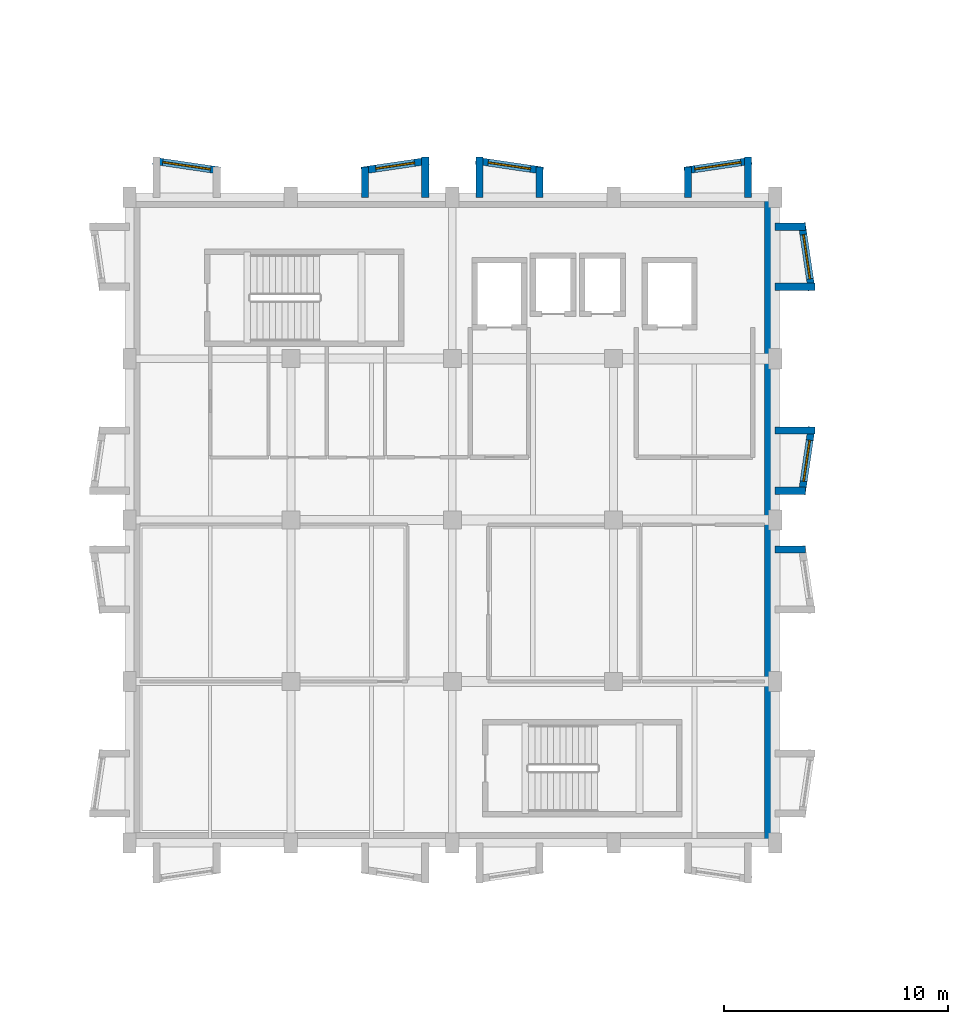
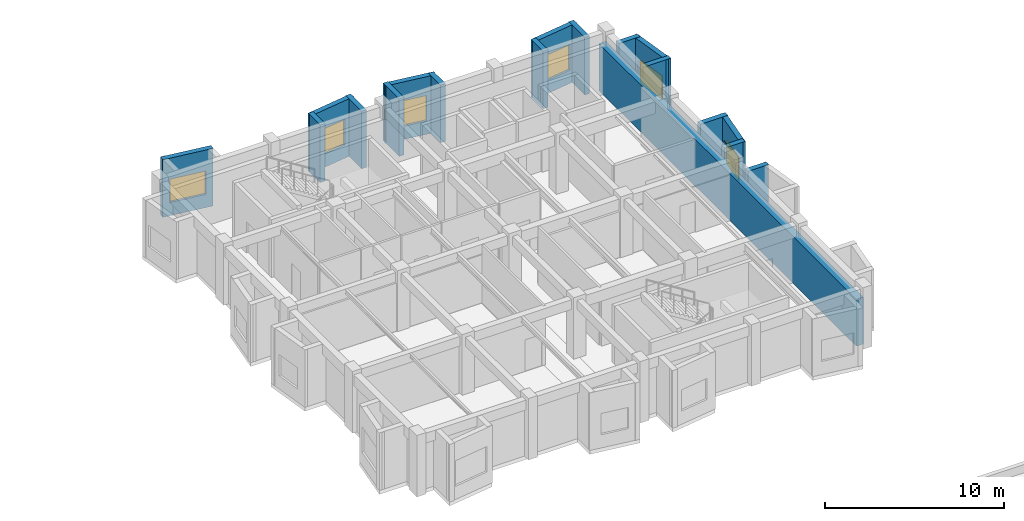
# One storey, part 57 of 67: 18 walls, 6 windows, 6 openings.
"""IFC4 building model written with IfcOpenShell, lengths in metres."""

from ifc_helpers import new_model, si_unit, direction, frame, frame_2d, origin, place, context, subcontext, project, spatial, rectangle, extrude, material, layer, layer_set, type_object, element, fill, save


model = new_model("IFC4")

# Units and contexts
model_context = context("Model", 3, precision=1e-05, world=origin(), true_north=direction((0.0, 1.0)))
body_context = subcontext(model_context, "Body", "Model", "MODEL_VIEW")
ifc_project = project(units=[si_unit("LENGTHUNIT", "METRE"), si_unit("AREAUNIT", "SQUARE_METRE"), si_unit("VOLUMEUNIT", "CUBIC_METRE"), si_unit("PLANEANGLEUNIT", "RADIAN"), si_unit("MASSUNIT", "GRAM", prefix="KILO")], contexts=[model_context])

# Site, building, storey
site_placement = place(None, origin())
site = spatial("IfcSite", under=ifc_project, at=site_placement, CompositionType="ELEMENT")
building_placement = place(site_placement, origin())
building = spatial("IfcBuilding", under=site, at=building_placement, Name="Bramveld Media Centre", CompositionType="ELEMENT")
storey_placement = place(building_placement, frame((0.0, 0.0, 5.39990234375)))
storey = spatial("IfcBuildingStorey", under=building, at=storey_placement, Name="L01", CompositionType="ELEMENT", Elevation=5.39990234375)

# Walls
ifc_material_1 = material(Name="Flemish red-brown clay facing brick cavity wall with concrete C35/45 inner leaf", Category="masonry")
ifc_layer_1 = layer(ifc_material_1, 0.4599609375)
ifc_layer_set_1 = layer_set([ifc_layer_1], Name="Flemish red-brown clay facing brick cavity wall with concrete C35/45 inner leaf")
wall_type_1 = type_object("IfcWallType", Name="EW-BRK-460", PredefinedType="SOLIDWALL", material=ifc_layer_set_1)
wall_1_placement = place(storey_placement, frame((159.77001953125, 112.0, 0.0), z_axis=(0.0, 0.0, 1.0), x_axis=(0.0, -1.0, 0.0)))
element("IfcWall", 1, at=wall_1_placement, inside=storey, type_object=wall_type_1, Name="V7 L01 E facing brick exterior wall", PredefinedType="SOLIDWALL", context=body_context, shape_type="SweptSolid", body=[
    extrude(rectangle(XDim=28.800048828125, YDim=0.4599609375, at=frame_2d((14.39990234375, 0.0))), origin(), (0.0, 0.0, 1.0), 3.205078125),
])
ifc_material_2 = material(Name="Precast concrete C40/50 & brick-slip faceted bay cheek wall", Category="masonry")
ifc_layer_2 = layer(ifc_material_2, 0.320068359375)
ifc_layer_set_2 = layer_set([ifc_layer_2], Name="Precast concrete C40/50 & brick-slip faceted bay cheek wall")
wall_type_2 = type_object("IfcWallType", Name="EW-FACET-320", PredefinedType="SOLIDWALL", material=ifc_layer_set_2)
wall_2_placement = place(storey_placement, frame((160.0, 96.2900390625, 0.0), z_axis=(0.0, 0.0, 1.0), x_axis=(1.0, 0.0, 0.0)))
element("IfcWall", 2, at=wall_2_placement, inside=storey, type_object=wall_type_2, Name="V7 L01 E faceted bay cheek wall", PredefinedType="SOLIDWALL", context=body_context, shape_type="SweptSolid", body=[
    extrude(rectangle(XDim=1.35009765625, YDim=0.320068359375, at=frame_2d((0.675048828125, 0.0))), origin(), (0.0, 0.0, 1.0), 3.93017578125),
])

# Wall, opening, window
wall_3_placement = place(storey_placement, frame((161.18994140625, 98.75, 0.0), z_axis=(0.0, 0.0, 1.0), x_axis=(0.146119746268, 0.989266910268, 0.0)))
wall_3 = element("IfcWall", 3, at=wall_3_placement, inside=storey, type_object=wall_type_2, Name="V7 L01 E angled faceted bay front wall 3", PredefinedType="SOLIDWALL", context=body_context, shape_type="SweptSolid", body=[
    extrude(rectangle(XDim=3.032470703125, YDim=0.320068359375, at=frame_2d((1.51611328125, 0.0))), origin(), (0.0, 0.0, 1.0), 3.93017578125),
])
opening_1_placement = place(wall_3_placement, frame((0.59130859375, 0.0, 0.89990234375)))
opening_1 = element("IfcOpeningElement", 4, at=opening_1_placement, cuts=wall_3, Name="Opening W-30", PredefinedType="OPENING", context=body_context, shape_type="SweptSolid", body=[
    extrude(rectangle(XDim=1.85009765625, YDim=1.60009765625, at=frame_2d((0.925048828125, 0.800048828125))), frame((0.0, 0.171875, 0.0), z_axis=(0.0, -1.0, 0.0), x_axis=(1.0, 0.0, 0.0)), (0.0, 0.0, 1.0), 0.343994140625),
])
ifc_material_3 = material(Name="Thermally broken anodized bronze aluminium frame with triple acoustic glazing", Category="aluminium")
window_type_1 = type_object("IfcWindowType", Name="WIN-FAC-30", PartitioningType="SINGLE_PANEL", PredefinedType="WINDOW", material=ifc_material_3)
window_1_placement = place(opening_1_placement, origin())
window_1 = element("IfcWindow", 5, at=window_1_placement, inside=storey, type_object=window_type_1, Name="V7 L01 E faceted bay window 3", OverallHeight=1.60009765625, OverallWidth=1.85009765625, PartitioningType="SINGLE_PANEL", PredefinedType="WINDOW", context=body_context, shape_type="SweptSolid", body=[
    extrude(rectangle(XDim=1.85009765625, YDim=1.60009765625, at=frame_2d((0.925048828125, 0.800048828125))), frame((0.0, 0.030029296875, 0.0), z_axis=(0.0, -1.0, 0.0), x_axis=(1.0, 0.0, 0.0)), (0.0, 0.0, 1.0), 0.06005859375),
])
fill(opening_1, window_1)

# Walls
wall_4_placement = place(storey_placement, frame((160.0, 98.909912109375, 0.0), z_axis=(0.0, 0.0, 1.0), x_axis=(1.0, 0.0, 0.0)))
element("IfcWall", 6, at=wall_4_placement, inside=storey, type_object=wall_type_2, Name="V7 L01 E faceted bay cheek wall", PredefinedType="SOLIDWALL", context=body_context, shape_type="SweptSolid", body=[
    extrude(rectangle(XDim=1.35009765625, YDim=0.320068359375, at=frame_2d((0.675048828125, 0.0))), origin(), (0.0, 0.0, 1.0), 3.93017578125),
])
wall_5_placement = place(storey_placement, frame((160.0, 101.590087890625, 0.0), z_axis=(0.0, 0.0, 1.0), x_axis=(1.0, 0.0, 0.0)))
element("IfcWall", 7, at=wall_5_placement, inside=storey, type_object=wall_type_2, Name="V7 L01 E faceted bay cheek wall", PredefinedType="SOLIDWALL", context=body_context, shape_type="SweptSolid", body=[
    extrude(rectangle(XDim=1.79296875, YDim=0.320068359375, at=frame_2d((0.896484375, 0.0))), origin(), (0.0, 0.0, 1.0), 3.93017578125),
])

# Wall, opening, window
wall_6_placement = place(storey_placement, frame((161.633056640625, 107.85009765625, 0.0), z_axis=(0.0, 0.0, 1.0), x_axis=(-0.146119746268, 0.989266910268, 0.0)))
wall_6 = element("IfcWall", 8, at=wall_6_placement, inside=storey, type_object=wall_type_2, Name="V7 L01 E angled faceted bay front wall 4", PredefinedType="SOLIDWALL", context=body_context, shape_type="SweptSolid", body=[
    extrude(rectangle(XDim=3.032470703125, YDim=0.320068359375, at=frame_2d((1.51611328125, 0.0))), origin(), (0.0, 0.0, 1.0), 3.93017578125),
])
opening_2_placement = place(wall_6_placement, frame((0.516357421875, 0.0, 0.89990234375)))
opening_2 = element("IfcOpeningElement", 9, at=opening_2_placement, cuts=wall_6, Name="Opening W-31", PredefinedType="OPENING", context=body_context, shape_type="SweptSolid", body=[
    extrude(rectangle(XDim=2.0, YDim=1.60009765625, at=frame_2d((1.0, 0.800048828125))), frame((0.0, 0.171875, 0.0), z_axis=(0.0, -1.0, 0.0), x_axis=(1.0, 0.0, 0.0)), (0.0, 0.0, 1.0), 0.343994140625),
])
ifc_material_4 = material(Name="Thermally broken anodized bronze aluminium frame with triple acoustic glazing", Category="aluminium")
window_type_2 = type_object("IfcWindowType", Name="WIN-FAC-31", PartitioningType="SINGLE_PANEL", PredefinedType="WINDOW", material=ifc_material_4)
window_2_placement = place(opening_2_placement, origin())
window_2 = element("IfcWindow", 10, at=window_2_placement, inside=storey, type_object=window_type_2, Name="V7 L01 E faceted bay window 4", OverallHeight=1.60009765625, OverallWidth=2.0, PartitioningType="SINGLE_PANEL", PredefinedType="WINDOW", context=body_context, shape_type="SweptSolid", body=[
    extrude(rectangle(XDim=2.0, YDim=1.60009765625, at=frame_2d((1.0, 0.800048828125))), frame((0.0, 0.030029296875, 0.0), z_axis=(0.0, -1.0, 0.0), x_axis=(1.0, 0.0, 0.0)), (0.0, 0.0, 1.0), 0.06005859375),
])
fill(opening_2, window_2)

# Walls
wall_7_placement = place(storey_placement, frame((160.0, 108.010009765625, 0.0), z_axis=(0.0, 0.0, 1.0), x_axis=(1.0, 0.0, 0.0)))
element("IfcWall", 11, at=wall_7_placement, inside=storey, type_object=wall_type_2, Name="V7 L01 E faceted bay cheek wall", PredefinedType="SOLIDWALL", context=body_context, shape_type="SweptSolid", body=[
    extrude(rectangle(XDim=1.79296875, YDim=0.320068359375, at=frame_2d((0.896484375, 0.0))), origin(), (0.0, 0.0, 1.0), 3.93017578125),
])
wall_8_placement = place(storey_placement, frame((160.0, 110.68994140625, 0.0), z_axis=(0.0, 0.0, 1.0), x_axis=(1.0, 0.0, 0.0)))
element("IfcWall", 12, at=wall_8_placement, inside=storey, type_object=wall_type_2, Name="V7 L01 E faceted bay cheek wall", PredefinedType="SOLIDWALL", context=body_context, shape_type="SweptSolid", body=[
    extrude(rectangle(XDim=1.35009765625, YDim=0.320068359375, at=frame_2d((0.675048828125, 0.0))), origin(), (0.0, 0.0, 1.0), 3.93017578125),
])

# Wall, opening, window
wall_9_placement = place(storey_placement, frame((135.25, 113.18994140625, 0.0), z_axis=(0.0, 0.0, 1.0), x_axis=(-0.989266910268, 0.146119746268, 0.0)))
wall_9 = element("IfcWall", 13, at=wall_9_placement, inside=storey, type_object=wall_type_2, Name="V7 L01 N angled faceted bay front wall 1", PredefinedType="SOLIDWALL", context=body_context, shape_type="SweptSolid", body=[
    extrude(rectangle(XDim=3.032470703125, YDim=0.320068359375, at=frame_2d((1.51611328125, 0.0))), origin(), (0.0, 0.0, 1.0), 3.93017578125),
])
opening_3_placement = place(wall_9_placement, frame((0.44140625, 0.0, 0.89990234375)))
opening_3 = element("IfcOpeningElement", 14, at=opening_3_placement, cuts=wall_9, Name="Opening W-32", PredefinedType="OPENING", context=body_context, shape_type="SweptSolid", body=[
    extrude(rectangle(XDim=2.14990234375, YDim=1.60009765625, at=frame_2d((1.074951171875, 0.800048828125))), frame((0.0, 0.171875, 0.0), z_axis=(0.0, -1.0, 0.0), x_axis=(1.0, 0.0, 0.0)), (0.0, 0.0, 1.0), 0.343994140625),
])
ifc_material_5 = material(Name="Thermally broken anodized bronze aluminium frame with triple acoustic glazing", Category="aluminium")
window_type_3 = type_object("IfcWindowType", Name="WIN-FAC-32", PartitioningType="SINGLE_PANEL", PredefinedType="WINDOW", material=ifc_material_5)
window_3_placement = place(opening_3_placement, origin())
window_3 = element("IfcWindow", 15, at=window_3_placement, inside=storey, type_object=window_type_3, Name="V7 L01 N faceted bay window 1", OverallHeight=1.60009765625, OverallWidth=2.14990234375, PartitioningType="SINGLE_PANEL", PredefinedType="WINDOW", context=body_context, shape_type="SweptSolid", body=[
    extrude(rectangle(XDim=2.14990234375, YDim=1.60009765625, at=frame_2d((1.074951171875, 0.800048828125))), frame((0.0, 0.030029296875, 0.0), z_axis=(0.0, -1.0, 0.0), x_axis=(1.0, 0.0, 0.0)), (0.0, 0.0, 1.0), 0.06005859375),
])
fill(opening_3, window_3)

wall_10_placement = place(storey_placement, frame((144.550048828125, 113.633056640625, 0.0), z_axis=(0.0, 0.0, 1.0), x_axis=(-0.989266910268, -0.146119746268, 0.0)))
wall_10 = element("IfcWall", 16, at=wall_10_placement, inside=storey, type_object=wall_type_2, Name="V7 L01 N angled faceted bay front wall 2", PredefinedType="SOLIDWALL", context=body_context, shape_type="SweptSolid", body=[
    extrude(rectangle(XDim=3.032470703125, YDim=0.320068359375, at=frame_2d((1.51611328125, 0.0))), origin(), (0.0, 0.0, 1.0), 3.93017578125),
])
opening_4_placement = place(wall_10_placement, frame((0.641357421875, 0.0, 0.89990234375)))
opening_4 = element("IfcOpeningElement", 17, at=opening_4_placement, cuts=wall_10, Name="Opening W-33", PredefinedType="OPENING", context=body_context, shape_type="SweptSolid", body=[
    extrude(rectangle(XDim=1.75, YDim=1.75, at=frame_2d((0.875, 0.875))), frame((0.0, 0.171875, 0.0), z_axis=(0.0, -1.0, 0.0), x_axis=(1.0, 0.0, 0.0)), (0.0, 0.0, 1.0), 0.343994140625),
])
ifc_material_6 = material(Name="Thermally broken anodized bronze aluminium frame with triple acoustic glazing", Category="aluminium")
window_type_4 = type_object("IfcWindowType", Name="WIN-FAC-33", PartitioningType="SINGLE_PANEL", PredefinedType="WINDOW", material=ifc_material_6)
window_4_placement = place(opening_4_placement, origin())
window_4 = element("IfcWindow", 18, at=window_4_placement, inside=storey, type_object=window_type_4, Name="V7 L01 N faceted bay window 2", OverallHeight=1.75, OverallWidth=1.75, PartitioningType="SINGLE_PANEL", PredefinedType="WINDOW", context=body_context, shape_type="SweptSolid", body=[
    extrude(rectangle(XDim=1.75, YDim=1.75, at=frame_2d((0.875, 0.875))), frame((0.0, 0.030029296875, 0.0), z_axis=(0.0, -1.0, 0.0), x_axis=(1.0, 0.0, 0.0)), (0.0, 0.0, 1.0), 0.06005859375),
])
fill(opening_4, window_4)

# Walls
wall_11_placement = place(storey_placement, frame((141.7099609375, 112.0, 0.0), z_axis=(0.0, 0.0, 1.0), x_axis=(0.0, 1.0, 0.0)))
element("IfcWall", 19, at=wall_11_placement, inside=storey, type_object=wall_type_2, Name="V7 L01 N faceted bay cheek wall", PredefinedType="SOLIDWALL", context=body_context, shape_type="SweptSolid", body=[
    extrude(rectangle(XDim=1.35009765625, YDim=0.320068359375, at=frame_2d((0.675048828125, 0.0))), origin(), (0.0, 0.0, 1.0), 3.93017578125),
])
wall_12_placement = place(storey_placement, frame((144.389892578125, 112.0, 0.0), z_axis=(0.0, 0.0, 1.0), x_axis=(0.0, 1.0, 0.0)))
element("IfcWall", 20, at=wall_12_placement, inside=storey, type_object=wall_type_2, Name="V7 L01 N faceted bay cheek wall", PredefinedType="SOLIDWALL", context=body_context, shape_type="SweptSolid", body=[
    extrude(rectangle(XDim=1.79296875, YDim=0.320068359375, at=frame_2d((0.896484375, 0.0))), origin(), (0.0, 0.0, 1.0), 3.93017578125),
])

# Wall, opening, window
wall_13_placement = place(storey_placement, frame((149.64990234375, 113.18994140625, 0.0), z_axis=(0.0, 0.0, 1.0), x_axis=(-0.989266910268, 0.146119746268, 0.0)))
wall_13 = element("IfcWall", 21, at=wall_13_placement, inside=storey, type_object=wall_type_2, Name="V7 L01 N angled faceted bay front wall 3", PredefinedType="SOLIDWALL", context=body_context, shape_type="SweptSolid", body=[
    extrude(rectangle(XDim=3.032470703125, YDim=0.320068359375, at=frame_2d((1.51611328125, 0.0))), origin(), (0.0, 0.0, 1.0), 3.93017578125),
])
opening_5_placement = place(wall_13_placement, frame((0.56640625, 0.0, 0.89990234375)))
opening_5 = element("IfcOpeningElement", 22, at=opening_5_placement, cuts=wall_13, Name="Opening W-34", PredefinedType="OPENING", context=body_context, shape_type="SweptSolid", body=[
    extrude(rectangle(XDim=1.89990234375, YDim=1.75, at=frame_2d((0.949951171875, 0.875))), frame((0.0, 0.171875, 0.0), z_axis=(0.0, -1.0, 0.0), x_axis=(1.0, 0.0, 0.0)), (0.0, 0.0, 1.0), 0.343994140625),
])
ifc_material_7 = material(Name="Thermally broken anodized bronze aluminium frame with triple acoustic glazing", Category="aluminium")
window_type_5 = type_object("IfcWindowType", Name="WIN-FAC-34", PartitioningType="SINGLE_PANEL", PredefinedType="WINDOW", material=ifc_material_7)
window_5_placement = place(opening_5_placement, origin())
window_5 = element("IfcWindow", 23, at=window_5_placement, inside=storey, type_object=window_type_5, Name="V7 L01 N faceted bay window 3", OverallHeight=1.75, OverallWidth=1.89990234375, PartitioningType="SINGLE_PANEL", PredefinedType="WINDOW", context=body_context, shape_type="SweptSolid", body=[
    extrude(rectangle(XDim=1.89990234375, YDim=1.75, at=frame_2d((0.949951171875, 0.875))), frame((0.0, 0.030029296875, 0.0), z_axis=(0.0, -1.0, 0.0), x_axis=(1.0, 0.0, 0.0)), (0.0, 0.0, 1.0), 0.06005859375),
])
fill(opening_5, window_5)

# Walls
wall_14_placement = place(storey_placement, frame((146.81005859375, 112.0, 0.0), z_axis=(0.0, 0.0, 1.0), x_axis=(0.0, 1.0, 0.0)))
element("IfcWall", 24, at=wall_14_placement, inside=storey, type_object=wall_type_2, Name="V7 L01 N faceted bay cheek wall", PredefinedType="SOLIDWALL", context=body_context, shape_type="SweptSolid", body=[
    extrude(rectangle(XDim=1.79296875, YDim=0.320068359375, at=frame_2d((0.896484375, 0.0))), origin(), (0.0, 0.0, 1.0), 3.93017578125),
])
wall_15_placement = place(storey_placement, frame((149.489990234375, 112.0, 0.0), z_axis=(0.0, 0.0, 1.0), x_axis=(0.0, 1.0, 0.0)))
element("IfcWall", 25, at=wall_15_placement, inside=storey, type_object=wall_type_2, Name="V7 L01 N faceted bay cheek wall", PredefinedType="SOLIDWALL", context=body_context, shape_type="SweptSolid", body=[
    extrude(rectangle(XDim=1.35009765625, YDim=0.320068359375, at=frame_2d((0.675048828125, 0.0))), origin(), (0.0, 0.0, 1.0), 3.93017578125),
])

# Wall, opening, window
wall_16_placement = place(storey_placement, frame((158.949951171875, 113.633056640625, 0.0), z_axis=(0.0, 0.0, 1.0), x_axis=(-0.989266910268, -0.146119746268, 0.0)))
wall_16 = element("IfcWall", 26, at=wall_16_placement, inside=storey, type_object=wall_type_2, Name="V7 L01 N angled faceted bay front wall 4", PredefinedType="SOLIDWALL", context=body_context, shape_type="SweptSolid", body=[
    extrude(rectangle(XDim=3.032470703125, YDim=0.320068359375, at=frame_2d((1.51611328125, 0.0))), origin(), (0.0, 0.0, 1.0), 3.93017578125),
])
opening_6_placement = place(wall_16_placement, frame((0.476318359375, 0.0, 0.89990234375)))
opening_6 = element("IfcOpeningElement", 27, at=opening_6_placement, cuts=wall_16, Name="Opening W-35", PredefinedType="OPENING", context=body_context, shape_type="SweptSolid", body=[
    extrude(rectangle(XDim=2.080078125, YDim=1.75, at=frame_2d((1.0400390625, 0.875))), frame((0.0, 0.171875, 0.0), z_axis=(0.0, -1.0, 0.0), x_axis=(1.0, 0.0, 0.0)), (0.0, 0.0, 1.0), 0.343994140625),
])
ifc_material_8 = material(Name="Thermally broken anodized bronze aluminium frame with triple acoustic glazing", Category="aluminium")
window_type_6 = type_object("IfcWindowType", Name="WIN-FAC-35", PartitioningType="SINGLE_PANEL", PredefinedType="WINDOW", material=ifc_material_8)
window_6_placement = place(opening_6_placement, origin())
window_6 = element("IfcWindow", 28, at=window_6_placement, inside=storey, type_object=window_type_6, Name="V7 L01 N faceted bay window 4", OverallHeight=1.75, OverallWidth=2.080078125, PartitioningType="SINGLE_PANEL", PredefinedType="WINDOW", context=body_context, shape_type="SweptSolid", body=[
    extrude(rectangle(XDim=2.080078125, YDim=1.75, at=frame_2d((1.0400390625, 0.875))), frame((0.0, 0.030029296875, 0.0), z_axis=(0.0, -1.0, 0.0), x_axis=(1.0, 0.0, 0.0)), (0.0, 0.0, 1.0), 0.06005859375),
])
fill(opening_6, window_6)

# Walls
wall_17_placement = place(storey_placement, frame((156.110107421875, 112.0, 0.0), z_axis=(0.0, 0.0, 1.0), x_axis=(0.0, 1.0, 0.0)))
element("IfcWall", 29, at=wall_17_placement, inside=storey, type_object=wall_type_2, Name="V7 L01 N faceted bay cheek wall", PredefinedType="SOLIDWALL", context=body_context, shape_type="SweptSolid", body=[
    extrude(rectangle(XDim=1.35009765625, YDim=0.320068359375, at=frame_2d((0.675048828125, 0.0))), origin(), (0.0, 0.0, 1.0), 3.93017578125),
])
wall_18_placement = place(storey_placement, frame((158.7900390625, 112.0, 0.0), z_axis=(0.0, 0.0, 1.0), x_axis=(0.0, 1.0, 0.0)))
element("IfcWall", 30, at=wall_18_placement, inside=storey, type_object=wall_type_2, Name="V7 L01 N faceted bay cheek wall", PredefinedType="SOLIDWALL", context=body_context, shape_type="SweptSolid", body=[
    extrude(rectangle(XDim=1.79296875, YDim=0.320068359375, at=frame_2d((0.896484375, 0.0))), origin(), (0.0, 0.0, 1.0), 3.93017578125),
])

save(model, "model.ifc")
